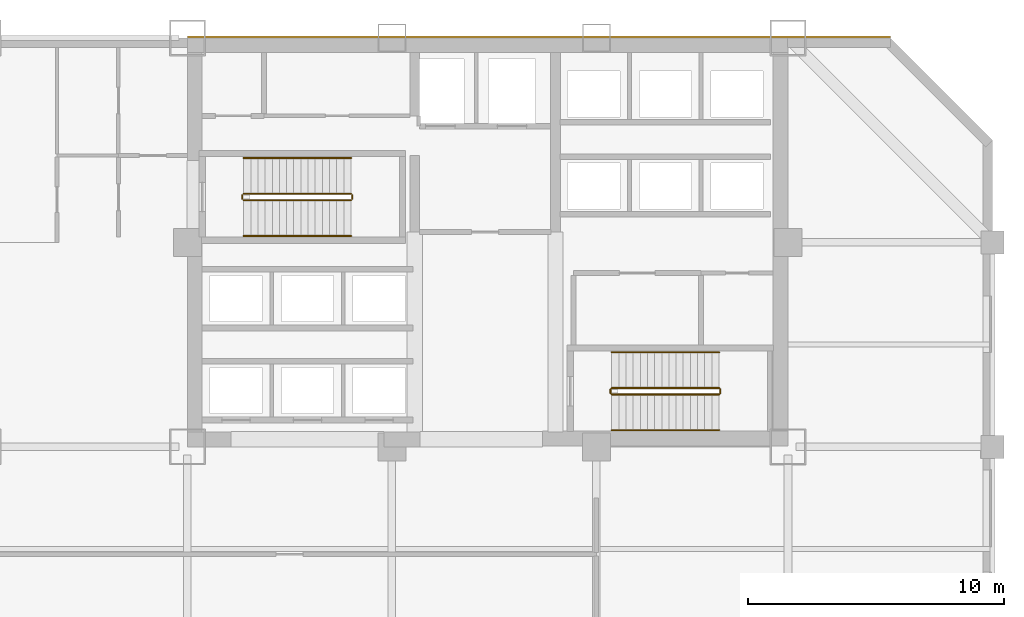
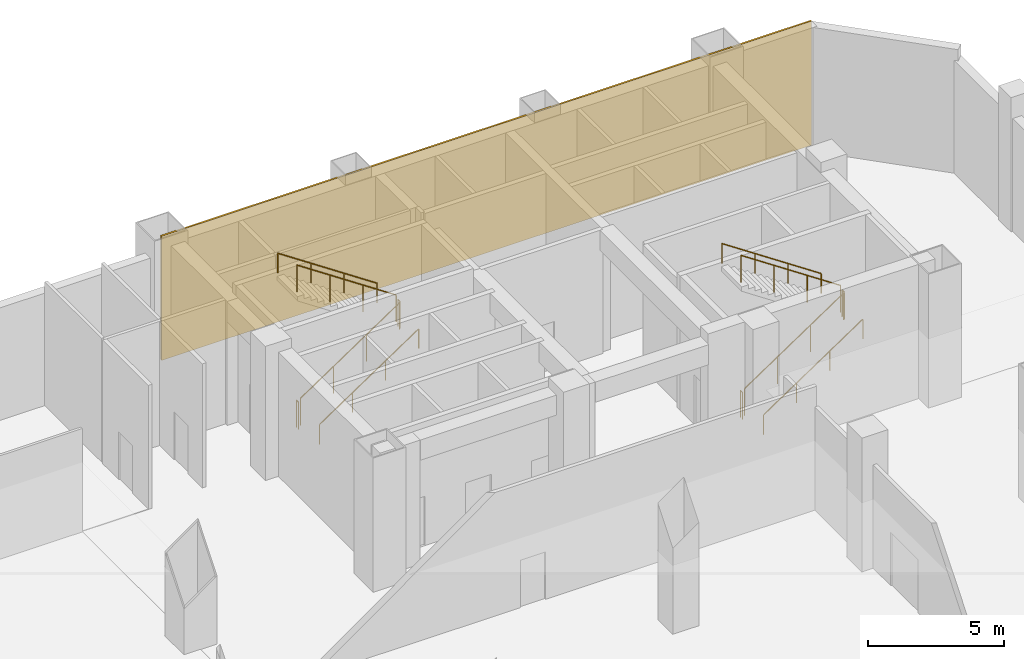
# One storey, part 10 of 11: 12 railings, 1 covering.
"""IFC4 building model written with IfcOpenShell, lengths in metres."""

from ifc_helpers import new_model, si_unit, direction, frame, origin, origin_2d, place, context, subcontext, project, spatial, rectangle, circle, extrude, material, layer, layer_set, type_object, element, save


model = new_model("IFC4")

# Units and contexts
model_context = context("Model", 3, precision=1e-05, world=origin(), true_north=direction((0.0, 1.0)))
body_context = subcontext(model_context, "Body", "Model", "MODEL_VIEW")
ifc_project = project(units=[si_unit("LENGTHUNIT", "METRE"), si_unit("AREAUNIT", "SQUARE_METRE"), si_unit("VOLUMEUNIT", "CUBIC_METRE"), si_unit("PLANEANGLEUNIT", "RADIAN"), si_unit("MASSUNIT", "GRAM", prefix="KILO")], contexts=[model_context])

# Site, building, storey
site_placement = place(None, origin())
site = spatial("IfcSite", under=ifc_project, at=site_placement, CompositionType="ELEMENT")
building_placement = place(site_placement, origin())
building = spatial("IfcBuilding", under=site, at=building_placement, Name="Qianrong Seaharbour Tower", CompositionType="ELEMENT")
storey_placement = place(building_placement, frame((0.0, 0.0, 11.39990234375)))
storey = spatial("IfcBuildingStorey", under=building, at=storey_placement, Name="L03", CompositionType="ELEMENT", Elevation=11.39990234375)

# Covering
ifc_material_1 = material(Name="Unitised red brick cladding on Precast concrete C45/55", Category="masonry")
ifc_layer = layer(ifc_material_1, 0.080078125)
ifc_layer_set = layer_set([ifc_layer], Name="Unitised red brick cladding on Precast concrete C45/55")
covering_type = type_object("IfcCoveringType", Name="COV-CLAD-RED-BRICK-80", PredefinedType="CLADDING", material=ifc_layer_set)
covering_placement = place(storey_placement, frame((54.25, 52.0400390625, 0.0), z_axis=(0.0, 0.0, 1.0), x_axis=(1.0, 0.0, 0.0)))
element("IfcCovering", 1, at=covering_placement, inside=storey, type_object=covering_type, Name="L03 North Core Brick Veneer Cladding", PredefinedType="CLADDING", context=body_context, shape_type="SweptSolid", body=[
    extrude(rectangle(XDim=27.5, YDim=0.080078125, at=origin_2d()), origin(), (0.0, 0.0, 1.0), 5.550048828125),
])

# Railings
ifc_material_2 = material(Name="Galvanized painted steel SN400B stair guard", Category="steel")
railing_type_1 = type_object("IfcRailingType", Name="RAIL-STAIR-GUARD-1220", PredefinedType="GUARDRAIL", material=ifc_material_2)
railing_1_placement = place(storey_placement, frame((42.699951171875, 45.64990234375, 0.1875)))
element("IfcRailing", 2, at=railing_1_placement, inside=storey, type_object=railing_type_1, Name="L03 ST-1 stair guard 1", PredefinedType="GUARDRAIL", context=body_context, shape_type="SweptSolid", body=[
    extrude(circle(Radius=0.02392578125, at=origin_2d()), frame((0.0, 0.0, 1.19580078125), z_axis=(0.830904186295, 0.0, 0.556415522067), x_axis=(0.0, 1.0, 0.0)), (0.0, 0.0, 1.0), 5.0546875),
    extrude(circle(Radius=0.02099609375, at=origin_2d()), origin(), (0.0, 0.0, 1.0), 1.171875),
    extrude(circle(Radius=0.02099609375, at=origin_2d()), frame((1.39990234375, 0.0, 0.9375)), (0.0, 0.0, 1.0), 1.171875),
    extrude(circle(Radius=0.02099609375, at=origin_2d()), frame((2.800048828125, 0.0, 1.875)), (0.0, 0.0, 1.0), 1.171875),
    extrude(circle(Radius=0.02099609375, at=origin_2d()), frame((4.199951171875, 0.0, 2.8125)), (0.0, 0.0, 1.0), 1.171875),
])
railing_2_placement = place(storey_placement, frame((46.949951171875, 45.699951171875, 3.0)))
element("IfcRailing", 3, at=railing_2_placement, inside=storey, type_object=railing_type_1, Name="L03 ST-1 stair guard 2", PredefinedType="GUARDRAIL", context=body_context, shape_type="SweptSolid", body=[
    extrude(circle(Radius=0.02392578125, at=origin_2d()), frame((0.0, 0.0, 1.19580078125), z_axis=(0.0, 1.0, 0.0), x_axis=(-1.0, 0.0, 0.0)), (0.0, 0.0, 1.0), 0.150146484375),
    extrude(circle(Radius=0.02099609375, at=origin_2d()), origin(), (0.0, 0.0, 1.0), 1.171875),
    extrude(circle(Radius=0.02099609375, at=origin_2d()), frame((0.0, 0.150146484375, 0.0)), (0.0, 0.0, 1.0), 1.171875),
])
railing_3_placement = place(storey_placement, frame((46.89990234375, 45.89990234375, 3.1875)))
element("IfcRailing", 4, at=railing_3_placement, inside=storey, type_object=railing_type_1, Name="L03 ST-1 stair guard 3", PredefinedType="GUARDRAIL", context=body_context, shape_type="SweptSolid", body=[
    extrude(circle(Radius=0.02392578125, at=origin_2d()), frame((0.0, 0.0, 1.19580078125), z_axis=(-0.830904186295, 0.0, 0.556415522067), x_axis=(0.0, -1.0, 0.0)), (0.0, 0.0, 1.0), 5.0546875),
    extrude(circle(Radius=0.02099609375, at=origin_2d()), origin(), (0.0, 0.0, 1.0), 1.171875),
    extrude(circle(Radius=0.02099609375, at=origin_2d()), frame((-1.39990234375, 0.0, 0.9375)), (0.0, 0.0, 1.0), 1.171875),
    extrude(circle(Radius=0.02099609375, at=origin_2d()), frame((-2.800048828125, 0.0, 1.875)), (0.0, 0.0, 1.0), 1.171875),
    extrude(circle(Radius=0.02099609375, at=origin_2d()), frame((-4.199951171875, 0.0, 2.8125)), (0.0, 0.0, 1.0), 1.171875),
])
railing_4_placement = place(storey_placement, frame((42.64990234375, 45.699951171875, 0.0)))
element("IfcRailing", 5, at=railing_4_placement, inside=storey, type_object=railing_type_1, Name="L03 ST-1 stair guard 4", PredefinedType="GUARDRAIL", context=body_context, shape_type="SweptSolid", body=[
    extrude(circle(Radius=0.02392578125, at=origin_2d()), frame((0.0, 0.0, 1.19580078125), z_axis=(0.0, 1.0, 0.0), x_axis=(-1.0, 0.0, 0.0)), (0.0, 0.0, 1.0), 0.150146484375),
    extrude(circle(Radius=0.02099609375, at=origin_2d()), origin(), (0.0, 0.0, 1.0), 1.171875),
    extrude(circle(Radius=0.02099609375, at=origin_2d()), frame((0.0, 0.150146484375, 0.0)), (0.0, 0.0, 1.0), 1.171875),
])
railing_5_placement = place(storey_placement, frame((57.10009765625, 38.050048828125, 0.1875)))
element("IfcRailing", 6, at=railing_5_placement, inside=storey, type_object=railing_type_1, Name="L03 ST-2 stair guard 1", PredefinedType="GUARDRAIL", context=body_context, shape_type="SweptSolid", body=[
    extrude(circle(Radius=0.02392578125, at=origin_2d()), frame((0.0, 0.0, 1.19580078125), z_axis=(0.830904186295, 0.0, 0.556415522067), x_axis=(0.0, 1.0, 0.0)), (0.0, 0.0, 1.0), 5.0546875),
    extrude(circle(Radius=0.02099609375, at=origin_2d()), origin(), (0.0, 0.0, 1.0), 1.171875),
    extrude(circle(Radius=0.02099609375, at=origin_2d()), frame((1.39990234375, 0.0, 0.9375)), (0.0, 0.0, 1.0), 1.171875),
    extrude(circle(Radius=0.02099609375, at=origin_2d()), frame((2.800048828125, 0.0, 1.875)), (0.0, 0.0, 1.0), 1.171875),
    extrude(circle(Radius=0.02099609375, at=origin_2d()), frame((4.199951171875, 0.0, 2.8125)), (0.0, 0.0, 1.0), 1.171875),
])
railing_6_placement = place(storey_placement, frame((61.35009765625, 38.10009765625, 3.0)))
element("IfcRailing", 7, at=railing_6_placement, inside=storey, type_object=railing_type_1, Name="L03 ST-2 stair guard 2", PredefinedType="GUARDRAIL", context=body_context, shape_type="SweptSolid", body=[
    extrude(circle(Radius=0.02392578125, at=origin_2d()), frame((0.0, 0.0, 1.19580078125), z_axis=(0.0, 1.0, 0.0), x_axis=(-1.0, 0.0, 0.0)), (0.0, 0.0, 1.0), 0.14990234375),
    extrude(circle(Radius=0.02099609375, at=origin_2d()), origin(), (0.0, 0.0, 1.0), 1.171875),
    extrude(circle(Radius=0.02099609375, at=origin_2d()), frame((0.0, 0.14990234375, 0.0)), (0.0, 0.0, 1.0), 1.171875),
])
railing_7_placement = place(storey_placement, frame((61.300048828125, 38.300048828125, 3.1875)))
element("IfcRailing", 8, at=railing_7_placement, inside=storey, type_object=railing_type_1, Name="L03 ST-2 stair guard 3", PredefinedType="GUARDRAIL", context=body_context, shape_type="SweptSolid", body=[
    extrude(circle(Radius=0.02392578125, at=origin_2d()), frame((0.0, 0.0, 1.19580078125), z_axis=(-0.830904186295, 0.0, 0.556415522067), x_axis=(0.0, -1.0, 0.0)), (0.0, 0.0, 1.0), 5.0546875),
    extrude(circle(Radius=0.02099609375, at=origin_2d()), origin(), (0.0, 0.0, 1.0), 1.171875),
    extrude(circle(Radius=0.02099609375, at=origin_2d()), frame((-1.39990234375, 0.0, 0.9375)), (0.0, 0.0, 1.0), 1.171875),
    extrude(circle(Radius=0.02099609375, at=origin_2d()), frame((-2.800048828125, 0.0, 1.875)), (0.0, 0.0, 1.0), 1.171875),
    extrude(circle(Radius=0.02099609375, at=origin_2d()), frame((-4.199951171875, 0.0, 2.8125)), (0.0, 0.0, 1.0), 1.171875),
])
railing_8_placement = place(storey_placement, frame((57.050048828125, 38.10009765625, 0.0)))
element("IfcRailing", 9, at=railing_8_placement, inside=storey, type_object=railing_type_1, Name="L03 ST-2 stair guard 4", PredefinedType="GUARDRAIL", context=body_context, shape_type="SweptSolid", body=[
    extrude(circle(Radius=0.02392578125, at=origin_2d()), frame((0.0, 0.0, 1.19580078125), z_axis=(0.0, 1.0, 0.0), x_axis=(-1.0, 0.0, 0.0)), (0.0, 0.0, 1.0), 0.14990234375),
    extrude(circle(Radius=0.02099609375, at=origin_2d()), origin(), (0.0, 0.0, 1.0), 1.171875),
    extrude(circle(Radius=0.02099609375, at=origin_2d()), frame((0.0, 0.14990234375, 0.0)), (0.0, 0.0, 1.0), 1.171875),
])
ifc_material_3 = material(Name="Stainless steel SUS316L continuous handrail", Category="steel")
railing_type_2 = type_object("IfcRailingType", Name="RAIL-STAIR-HANDRAIL-900", PredefinedType="HANDRAIL", material=ifc_material_3)
railing_9_placement = place(storey_placement, frame((42.699951171875, 44.25, 0.1875)))
element("IfcRailing", 10, at=railing_9_placement, inside=storey, type_object=railing_type_2, Name="L03 ST-1 stair handrail 1", PredefinedType="HANDRAIL", context=body_context, shape_type="SweptSolid", body=[
    extrude(circle(Radius=0.02392578125, at=origin_2d()), frame((0.0, 0.0, 0.8759765625), z_axis=(0.830904186295, 0.0, 0.556415522067), x_axis=(0.0, 1.0, 0.0)), (0.0, 0.0, 1.0), 5.0546875),
    extrude(circle(Radius=0.02099609375, at=origin_2d()), origin(), (0.0, 0.0, 1.0), 0.851806640625),
    extrude(circle(Radius=0.02099609375, at=origin_2d()), frame((1.39990234375, 0.0, 0.9375)), (0.0, 0.0, 1.0), 0.851806640625),
    extrude(circle(Radius=0.02099609375, at=origin_2d()), frame((2.800048828125, 0.0, 1.875)), (0.0, 0.0, 1.0), 0.851806640625),
    extrude(circle(Radius=0.02099609375, at=origin_2d()), frame((4.199951171875, 0.0, 2.8125)), (0.0, 0.0, 1.0), 0.851806640625),
])
railing_10_placement = place(storey_placement, frame((46.89990234375, 47.300048828125, 3.1875)))
element("IfcRailing", 11, at=railing_10_placement, inside=storey, type_object=railing_type_2, Name="L03 ST-1 stair handrail 2", PredefinedType="HANDRAIL", context=body_context, shape_type="SweptSolid", body=[
    extrude(circle(Radius=0.02392578125, at=origin_2d()), frame((0.0, 0.0, 0.8759765625), z_axis=(-0.830904186295, 0.0, 0.556415522067), x_axis=(0.0, -1.0, 0.0)), (0.0, 0.0, 1.0), 5.0546875),
    extrude(circle(Radius=0.02099609375, at=origin_2d()), origin(), (0.0, 0.0, 1.0), 0.851806640625),
    extrude(circle(Radius=0.02099609375, at=origin_2d()), frame((-1.39990234375, 0.0, 0.9375)), (0.0, 0.0, 1.0), 0.851806640625),
    extrude(circle(Radius=0.02099609375, at=origin_2d()), frame((-2.800048828125, 0.0, 1.875)), (0.0, 0.0, 1.0), 0.851806640625),
    extrude(circle(Radius=0.02099609375, at=origin_2d()), frame((-4.199951171875, 0.0, 2.8125)), (0.0, 0.0, 1.0), 0.851806640625),
])
railing_11_placement = place(storey_placement, frame((57.10009765625, 36.64990234375, 0.1875)))
element("IfcRailing", 12, at=railing_11_placement, inside=storey, type_object=railing_type_2, Name="L03 ST-2 stair handrail 1", PredefinedType="HANDRAIL", context=body_context, shape_type="SweptSolid", body=[
    extrude(circle(Radius=0.02392578125, at=origin_2d()), frame((0.0, 0.0, 0.8759765625), z_axis=(0.830904186295, 0.0, 0.556415522067), x_axis=(0.0, 1.0, 0.0)), (0.0, 0.0, 1.0), 5.0546875),
    extrude(circle(Radius=0.02099609375, at=origin_2d()), origin(), (0.0, 0.0, 1.0), 0.851806640625),
    extrude(circle(Radius=0.02099609375, at=origin_2d()), frame((1.39990234375, 0.0, 0.9375)), (0.0, 0.0, 1.0), 0.851806640625),
    extrude(circle(Radius=0.02099609375, at=origin_2d()), frame((2.800048828125, 0.0, 1.875)), (0.0, 0.0, 1.0), 0.851806640625),
    extrude(circle(Radius=0.02099609375, at=origin_2d()), frame((4.199951171875, 0.0, 2.8125)), (0.0, 0.0, 1.0), 0.851806640625),
])
railing_12_placement = place(storey_placement, frame((61.300048828125, 39.699951171875, 3.1875)))
element("IfcRailing", 13, at=railing_12_placement, inside=storey, type_object=railing_type_2, Name="L03 ST-2 stair handrail 2", PredefinedType="HANDRAIL", context=body_context, shape_type="SweptSolid", body=[
    extrude(circle(Radius=0.02392578125, at=origin_2d()), frame((0.0, 0.0, 0.8759765625), z_axis=(-0.830904186295, 0.0, 0.556415522067), x_axis=(0.0, -1.0, 0.0)), (0.0, 0.0, 1.0), 5.0546875),
    extrude(circle(Radius=0.02099609375, at=origin_2d()), origin(), (0.0, 0.0, 1.0), 0.851806640625),
    extrude(circle(Radius=0.02099609375, at=origin_2d()), frame((-1.39990234375, 0.0, 0.9375)), (0.0, 0.0, 1.0), 0.851806640625),
    extrude(circle(Radius=0.02099609375, at=origin_2d()), frame((-2.800048828125, 0.0, 1.875)), (0.0, 0.0, 1.0), 0.851806640625),
    extrude(circle(Radius=0.02099609375, at=origin_2d()), frame((-4.199951171875, 0.0, 2.8125)), (0.0, 0.0, 1.0), 0.851806640625),
])

save(model, "model.ifc")
